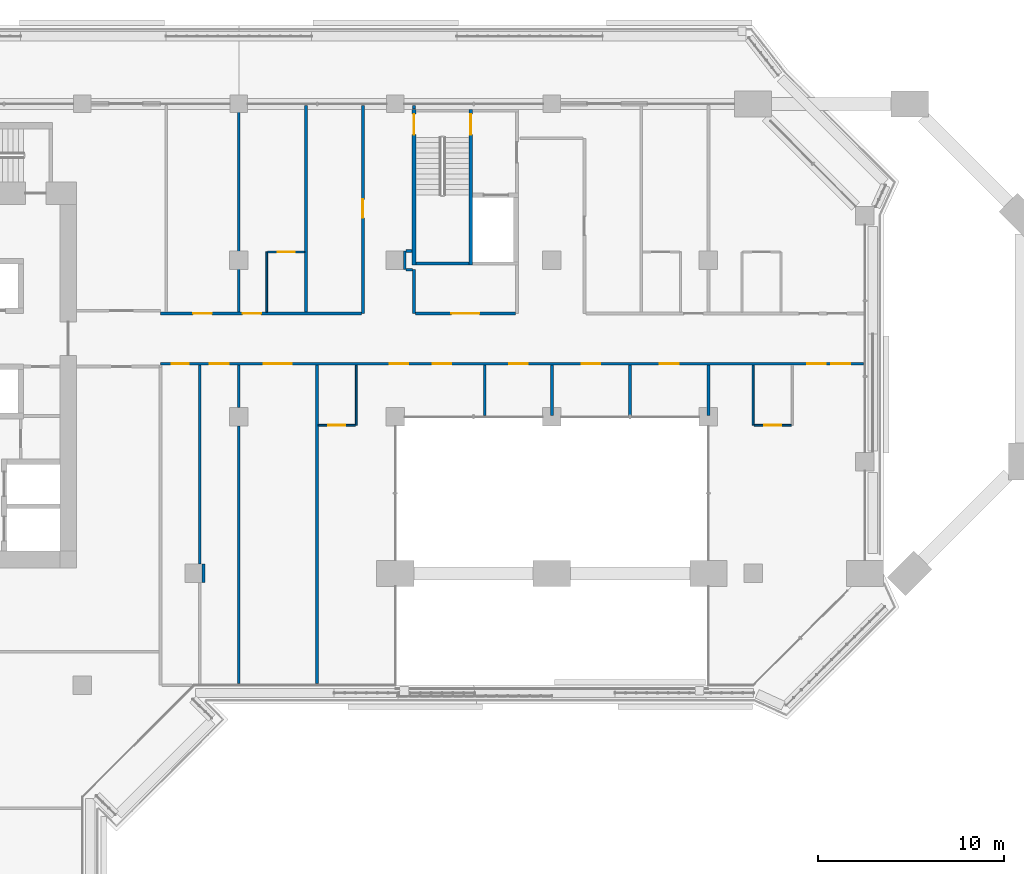
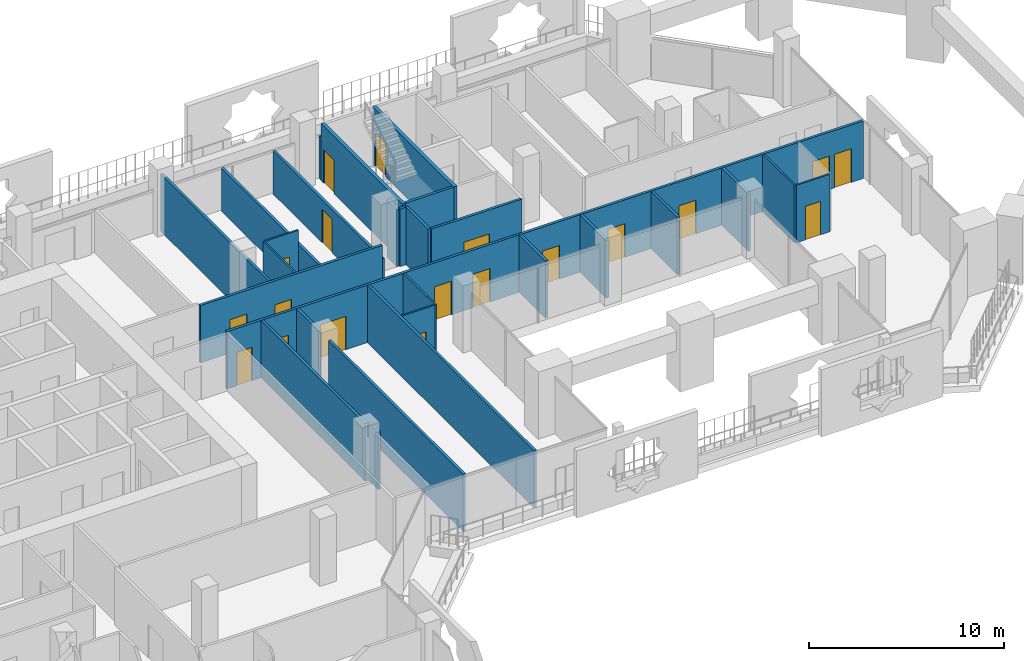
# One storey, part 14 of 24: 29 walls, 19 doors, 19 openings.
"""IFC4 building model written with IfcOpenShell, lengths in metres."""

from ifc_helpers import new_model, si_unit, direction, frame, frame_2d, origin, place, context, subcontext, project, spatial, rectangle, extrude, material, layer, layer_set, type_object, element, fill, save


model = new_model("IFC4")

# Units and contexts
model_context = context("Model", 3, precision=1e-05, world=origin(), true_north=direction((0.0, 1.0)))
body_context = subcontext(model_context, "Body", "Model", "MODEL_VIEW")
ifc_project = project(units=[si_unit("LENGTHUNIT", "METRE"), si_unit("AREAUNIT", "SQUARE_METRE"), si_unit("VOLUMEUNIT", "CUBIC_METRE"), si_unit("PLANEANGLEUNIT", "RADIAN"), si_unit("MASSUNIT", "GRAM", prefix="KILO")], contexts=[model_context])

# Site, building, storey
site_placement = place(None, origin())
site = spatial("IfcSite", under=ifc_project, at=site_placement, CompositionType="ELEMENT")
building_placement = place(site_placement, origin())
building = spatial("IfcBuilding", under=site, at=building_placement, Name="Kawkab Arch Medical Tower", CompositionType="ELEMENT")
storey_placement = place(building_placement, frame((0.0, 0.0, 162.60009765625)))
storey = spatial("IfcBuildingStorey", under=building, at=storey_placement, Name="L37", CompositionType="ELEMENT", Elevation=162.60009765625)

# Wall, opening, door
ifc_material_1 = material(Name="Gypsum board partition on steel studs", Category="steel")
ifc_layer_1 = layer(ifc_material_1, 0.10009765625)
ifc_layer_set_1 = layer_set([ifc_layer_1], Name="Gypsum board partition on steel studs")
wall_type_1 = type_object("IfcWallType", Name="Partition 100", PredefinedType="PARTITIONING", material=ifc_layer_set_1)
wall_1_placement = place(storey_placement, frame((37.875, -17.25, 0.0), z_axis=(0.0, 0.0, 1.0), x_axis=(1.0, 0.0, 0.0)))
wall_1 = element("IfcWall", 1, at=wall_1_placement, inside=storey, type_object=wall_type_1, Name="Partition 100 w005", PredefinedType="PARTITIONING", context=body_context, shape_type="SweptSolid", body=[
    extrude(rectangle(XDim=1.97509765625, YDim=0.10009765625, at=frame_2d((0.987548828125, 0.0))), origin(), (0.0, 0.0, 1.0), 3.599853515625),
])
opening_1_placement = place(wall_1_placement, frame((0.52490234375, 0.0, 0.0)))
opening_1 = element("IfcOpeningElement", 2, at=opening_1_placement, cuts=wall_1, Name="Opening B37-009", PredefinedType="OPENING", context=body_context, shape_type="SweptSolid", body=[
    extrude(rectangle(XDim=0.89990234375, YDim=2.10009765625, at=frame_2d((0.449951171875, 1.050048828125))), frame((0.0, 0.06005859375, 0.0), z_axis=(0.0, -1.0, 0.0), x_axis=(1.0, 0.0, 0.0)), (0.0, 0.0, 1.0), 0.1201171875),
])
ifc_material_2 = material(Name="Timber door leaf", Category="wood")
door_type_1 = type_object("IfcDoorType", Name="Single door 900x2100", OperationType="NOTDEFINED", PredefinedType="DOOR", material=ifc_material_2)
door_1_placement = place(opening_1_placement, origin())
door_1 = element("IfcDoor", 3, at=door_1_placement, inside=storey, type_object=door_type_1, Name="Door B37-009", OperationType="SINGLE_SWING_LEFT", OverallHeight=2.10009765625, OverallWidth=0.89990234375, PredefinedType="DOOR", context=body_context, shape_type="SweptSolid", body=[
    extrude(rectangle(XDim=0.89990234375, YDim=2.10009765625, at=frame_2d((0.449951171875, 1.050048828125))), frame((0.0, 0.02490234375, 0.0), z_axis=(0.0, -1.0, 0.0), x_axis=(1.0, 0.0, 0.0)), (0.0, 0.0, 1.0), 0.050048828125),
])
fill(opening_1, door_1)

wall_2_placement = place(storey_placement, frame((61.251953125, -17.25, 0.0), z_axis=(0.0, 0.0, 1.0), x_axis=(1.0, 0.0, 0.0)))
wall_2 = element("IfcWall", 4, at=wall_2_placement, inside=storey, type_object=wall_type_1, Name="Partition 100 w006", PredefinedType="PARTITIONING", context=body_context, shape_type="SweptSolid", body=[
    extrude(rectangle(XDim=1.99609375, YDim=0.10009765625, at=frame_2d((0.998046875, 0.0))), origin(), (0.0, 0.0, 1.0), 3.599853515625),
])
opening_2_placement = place(wall_2_placement, frame((0.548095703125, 0.0, 0.0)))
opening_2 = element("IfcOpeningElement", 5, at=opening_2_placement, cuts=wall_2, Name="Opening B37-010", PredefinedType="OPENING", context=body_context, shape_type="SweptSolid", body=[
    extrude(rectangle(XDim=0.89990234375, YDim=2.10009765625, at=frame_2d((0.449951171875, 1.050048828125))), frame((0.0, 0.06005859375, 0.0), z_axis=(0.0, -1.0, 0.0), x_axis=(1.0, 0.0, 0.0)), (0.0, 0.0, 1.0), 0.1201171875),
])
door_2_placement = place(opening_2_placement, origin())
door_2 = element("IfcDoor", 6, at=door_2_placement, inside=storey, type_object=door_type_1, Name="Door B37-010", OperationType="SINGLE_SWING_LEFT", OverallHeight=2.10009765625, OverallWidth=0.89990234375, PredefinedType="DOOR", context=body_context, shape_type="SweptSolid", body=[
    extrude(rectangle(XDim=0.89990234375, YDim=2.10009765625, at=frame_2d((0.449951171875, 1.050048828125))), frame((0.0, 0.02490234375, 0.0), z_axis=(0.0, -1.0, 0.0), x_axis=(1.0, 0.0, 0.0)), (0.0, 0.0, 1.0), 0.050048828125),
])
fill(opening_2, door_2)

wall_3_placement = place(storey_placement, frame((35.14990234375, -7.949951171875, 0.0), z_axis=(0.0, 0.0, 1.0), x_axis=(1.0, 0.0, 0.0)))
wall_3 = element("IfcWall", 7, at=wall_3_placement, inside=storey, type_object=wall_type_1, Name="Partition 100 w007", PredefinedType="PARTITIONING", context=body_context, shape_type="SweptSolid", body=[
    extrude(rectangle(XDim=1.97509765625, YDim=0.10009765625, at=frame_2d((0.987548828125, 0.0))), origin(), (0.0, 0.0, 1.0), 3.599853515625),
])
opening_3_placement = place(wall_3_placement, frame((0.550048828125, 0.0, 0.0)))
opening_3 = element("IfcOpeningElement", 8, at=opening_3_placement, cuts=wall_3, Name="Opening B37-006", PredefinedType="OPENING", context=body_context, shape_type="SweptSolid", body=[
    extrude(rectangle(XDim=0.89990234375, YDim=2.10009765625, at=frame_2d((0.449951171875, 1.050048828125))), frame((0.0, 0.06005859375, 0.0), z_axis=(0.0, -1.0, 0.0), x_axis=(1.0, 0.0, 0.0)), (0.0, 0.0, 1.0), 0.1201171875),
])
door_3_placement = place(opening_3_placement, origin())
door_3 = element("IfcDoor", 9, at=door_3_placement, inside=storey, type_object=door_type_1, Name="Door B37-006", OperationType="SINGLE_SWING_LEFT", OverallHeight=2.10009765625, OverallWidth=0.89990234375, PredefinedType="DOOR", context=body_context, shape_type="SweptSolid", body=[
    extrude(rectangle(XDim=0.89990234375, YDim=2.10009765625, at=frame_2d((0.449951171875, 1.050048828125))), frame((0.0, 0.02490234375, 0.0), z_axis=(0.0, -1.0, 0.0), x_axis=(1.0, 0.0, 0.0)), (0.0, 0.0, 1.0), 0.050048828125),
])
fill(opening_3, door_3)

# Walls
for number, where, z_axis, x_axis, name in (
    (10, (35.10009765625, -11.175048828125, 0.0), (0.0, 0.0, 1.0), (0.0, 1.0, 0.0), "Partition 100 w014"),
    (11, (39.89990234375, -17.25, 0.0), (0.0, 0.0, 1.0), (0.0, 1.0, 0.0), "Partition 100 w015"),
):
    element("IfcWall", number, at=place(storey_placement, frame(where, z_axis=z_axis, x_axis=x_axis)), inside=storey, type_object=wall_type_1, Name=name, PredefinedType="PARTITIONING", context=body_context, shape_type="SweptSolid", body=[
        extrude(rectangle(XDim=3.22509765625, YDim=0.10009765625, at=frame_2d((1.612548828125, 0.0))), origin(), (0.0, 0.0, 1.0), 3.599853515625),
    ])
wall_4_placement = place(storey_placement, frame((61.199951171875, -17.248046875, 0.0), z_axis=(0.0, 0.0, 1.0), x_axis=(0.0, 1.0, 0.0)))
element("IfcWall", 12, at=wall_4_placement, inside=storey, type_object=wall_type_1, Name="Partition 100 w018", PredefinedType="PARTITIONING", context=body_context, shape_type="SweptSolid", body=[
    extrude(rectangle(XDim=3.22314453125, YDim=0.10009765625, at=frame_2d((1.611572265625, 0.0))), origin(), (0.0, 0.0, 1.0), 3.599853515625),
])

# Wall, openings, doors
ifc_material_3 = material(Name="Gypsum board partition on steel studs, mineral wool", Category="steel")
ifc_layer_2 = layer(ifc_material_3, 0.14990234375)
ifc_layer_set_2 = layer_set([ifc_layer_2], Name="Gypsum board partition on steel studs, mineral wool")
wall_type_2 = type_object("IfcWallType", Name="Partition 150", PredefinedType="PARTITIONING", material=ifc_layer_set_2)
wall_5_placement = place(storey_placement, frame((29.39990234375, -13.949951171875, 0.0), z_axis=(0.0, 0.0, 1.0), x_axis=(1.0, 0.0, 0.0)))
wall_5 = element("IfcWall", 13, at=wall_5_placement, inside=storey, type_object=wall_type_2, Name="Partition 150 w036", PredefinedType="PARTITIONING", context=body_context, shape_type="SweptSolid", body=[
    extrude(rectangle(XDim=37.72021484375, YDim=0.14990234375, at=frame_2d((18.860107421875, 0.0))), origin(), (0.0, 0.0, 1.0), 3.599853515625),
])
opening_4_placement = place(wall_5_placement, frame((14.60009765625, 0.0, 0.0)))
opening_4 = element("IfcOpeningElement", 14, at=opening_4_placement, cuts=wall_5, Name="Opening B37-025", PredefinedType="OPENING", context=body_context, shape_type="SweptSolid", body=[
    extrude(rectangle(XDim=1.0, YDim=2.10009765625, at=frame_2d((0.5, 1.050048828125))), frame((0.0, 0.0849609375, 0.0), z_axis=(0.0, -1.0, 0.0), x_axis=(1.0, 0.0, 0.0)), (0.0, 0.0, 1.0), 0.169921875),
])
opening_5_placement = place(wall_5_placement, frame((12.300048828125, 0.0, 0.0)))
opening_5 = element("IfcOpeningElement", 15, at=opening_5_placement, cuts=wall_5, Name="Opening B37-026", PredefinedType="OPENING", context=body_context, shape_type="SweptSolid", body=[
    extrude(rectangle(XDim=1.0, YDim=2.10009765625, at=frame_2d((0.5, 1.050048828125))), frame((0.0, 0.0849609375, 0.0), z_axis=(0.0, -1.0, 0.0), x_axis=(1.0, 0.0, 0.0)), (0.0, 0.0, 1.0), 0.169921875),
])
opening_6_placement = place(wall_5_placement, frame((18.699951171875, 0.0, 0.0)))
opening_6 = element("IfcOpeningElement", 16, at=opening_6_placement, cuts=wall_5, Name="Opening B37-027", PredefinedType="OPENING", context=body_context, shape_type="SweptSolid", body=[
    extrude(rectangle(XDim=1.0, YDim=2.10009765625, at=frame_2d((0.5, 1.050048828125))), frame((0.0, 0.0849609375, 0.0), z_axis=(0.0, -1.0, 0.0), x_axis=(1.0, 0.0, 0.0)), (0.0, 0.0, 1.0), 0.169921875),
])
opening_7_placement = place(wall_5_placement, frame((22.60009765625, 0.0, 0.0)))
opening_7 = element("IfcOpeningElement", 17, at=opening_7_placement, cuts=wall_5, Name="Opening B37-028", PredefinedType="OPENING", context=body_context, shape_type="SweptSolid", body=[
    extrude(rectangle(XDim=1.0, YDim=2.10009765625, at=frame_2d((0.5, 1.050048828125))), frame((0.0, 0.0849609375, 0.0), z_axis=(0.0, -1.0, 0.0), x_axis=(1.0, 0.0, 0.0)), (0.0, 0.0, 1.0), 0.169921875),
])
opening_8_placement = place(wall_5_placement, frame((26.800048828125, 0.0, 0.0)))
opening_8 = element("IfcOpeningElement", 18, at=opening_8_placement, cuts=wall_5, Name="Opening B37-029", PredefinedType="OPENING", context=body_context, shape_type="SweptSolid", body=[
    extrude(rectangle(XDim=1.0, YDim=2.10009765625, at=frame_2d((0.5, 1.050048828125))), frame((0.0, 0.0849609375, 0.0), z_axis=(0.0, -1.0, 0.0), x_axis=(1.0, 0.0, 0.0)), (0.0, 0.0, 1.0), 0.169921875),
])
opening_9_placement = place(wall_5_placement, frame((36.0, 0.0, 0.0)))
opening_9 = element("IfcOpeningElement", 19, at=opening_9_placement, cuts=wall_5, Name="Opening B37-030", PredefinedType="OPENING", context=body_context, shape_type="SweptSolid", body=[
    extrude(rectangle(XDim=1.0, YDim=2.10009765625, at=frame_2d((0.5, 1.050048828125))), frame((0.0, 0.0849609375, 0.0), z_axis=(0.0, -1.0, 0.0), x_axis=(1.0, 0.0, 0.0)), (0.0, 0.0, 1.0), 0.169921875),
])
opening_10_placement = place(wall_5_placement, frame((34.699951171875, 0.0, 0.0)))
opening_10 = element("IfcOpeningElement", 20, at=opening_10_placement, cuts=wall_5, Name="Opening B37-031", PredefinedType="OPENING", context=body_context, shape_type="SweptSolid", body=[
    extrude(rectangle(XDim=1.0, YDim=2.10009765625, at=frame_2d((0.5, 1.050048828125))), frame((0.0, 0.0849609375, 0.0), z_axis=(0.0, -1.0, 0.0), x_axis=(1.0, 0.0, 0.0)), (0.0, 0.0, 1.0), 0.169921875),
])
opening_11_placement = place(wall_5_placement, frame((0.60009765625, 0.0, 0.0)))
opening_11 = element("IfcOpeningElement", 21, at=opening_11_placement, cuts=wall_5, Name="Opening B37-015", PredefinedType="OPENING", context=body_context, shape_type="SweptSolid", body=[
    extrude(rectangle(XDim=0.89990234375, YDim=2.10009765625, at=frame_2d((0.449951171875, 1.050048828125))), frame((0.0, 0.0849609375, 0.0), z_axis=(0.0, -1.0, 0.0), x_axis=(1.0, 0.0, 0.0)), (0.0, 0.0, 1.0), 0.169921875),
])
opening_12_placement = place(wall_5_placement, frame((2.64990234375, 0.0, 0.0)))
opening_12 = element("IfcOpeningElement", 22, at=opening_12_placement, cuts=wall_5, Name="Opening B37-016", PredefinedType="OPENING", context=body_context, shape_type="SweptSolid", body=[
    extrude(rectangle(XDim=1.0, YDim=2.10009765625, at=frame_2d((0.5, 1.050048828125))), frame((0.0, 0.0849609375, 0.0), z_axis=(0.0, -1.0, 0.0), x_axis=(1.0, 0.0, 0.0)), (0.0, 0.0, 1.0), 0.169921875),
])
opening_13_placement = place(wall_5_placement, frame((5.550048828125, 0.0, 0.0)))
opening_13 = element("IfcOpeningElement", 23, at=opening_13_placement, cuts=wall_5, Name="Opening B37-005", PredefinedType="OPENING", context=body_context, shape_type="SweptSolid", body=[
    extrude(rectangle(XDim=1.5, YDim=2.10009765625, at=frame_2d((0.75, 1.050048828125))), frame((0.0, 0.0849609375, 0.0), z_axis=(0.0, -1.0, 0.0), x_axis=(1.0, 0.0, 0.0)), (0.0, 0.0, 1.0), 0.169921875),
])
ifc_material_4 = material(Name="Hollow metal door leaf")
door_type_2 = type_object("IfcDoorType", Name="Double door 1500x2100 FD30S", OperationType="NOTDEFINED", PredefinedType="DOOR", material=ifc_material_4)
door_4_placement = place(opening_13_placement, origin())
door_4 = element("IfcDoor", 24, at=door_4_placement, inside=storey, type_object=door_type_2, Name="Door B37-005", OperationType="DOUBLE_DOOR_SINGLE_SWING", OverallHeight=2.10009765625, OverallWidth=1.5, PredefinedType="DOOR", context=body_context, shape_type="SweptSolid", body=[
    extrude(rectangle(XDim=1.5, YDim=2.10009765625, at=frame_2d((0.75, 1.050048828125))), frame((0.0, 0.02490234375, 0.0), z_axis=(0.0, -1.0, 0.0), x_axis=(1.0, 0.0, 0.0)), (0.0, 0.0, 1.0), 0.050048828125),
])
fill(opening_13, door_4)
ifc_material_5 = material(Name="Timber door leaf", Category="wood")
door_type_3 = type_object("IfcDoorType", Name="Single door 1000x2100", OperationType="NOTDEFINED", PredefinedType="DOOR", material=ifc_material_5)
door_5_placement = place(opening_12_placement, origin())
door_5 = element("IfcDoor", 25, at=door_5_placement, inside=storey, type_object=door_type_3, Name="Door B37-016", OperationType="SINGLE_SWING_RIGHT", OverallHeight=2.10009765625, OverallWidth=1.0, PredefinedType="DOOR", context=body_context, shape_type="SweptSolid", body=[
    extrude(rectangle(XDim=1.0, YDim=2.10009765625, at=frame_2d((0.5, 1.050048828125))), frame((0.0, 0.02490234375, 0.0), z_axis=(0.0, -1.0, 0.0), x_axis=(1.0, 0.0, 0.0)), (0.0, 0.0, 1.0), 0.050048828125),
])
fill(opening_12, door_5)
ifc_material_6 = material(Name="Hollow metal door leaf")
door_type_4 = type_object("IfcDoorType", Name="Single door 1000x2100 FD30S", OperationType="NOTDEFINED", PredefinedType="DOOR", material=ifc_material_6)
door_6_placement = place(opening_4_placement, origin())
door_6 = element("IfcDoor", 26, at=door_6_placement, inside=storey, type_object=door_type_4, Name="Door B37-025", OperationType="SINGLE_SWING_RIGHT", OverallHeight=2.10009765625, OverallWidth=1.0, PredefinedType="DOOR", context=body_context, shape_type="SweptSolid", body=[
    extrude(rectangle(XDim=1.0, YDim=2.10009765625, at=frame_2d((0.5, 1.050048828125))), frame((0.0, 0.02490234375, 0.0), z_axis=(0.0, -1.0, 0.0), x_axis=(1.0, 0.0, 0.0)), (0.0, 0.0, 1.0), 0.050048828125),
])
fill(opening_4, door_6)
door_7_placement = place(opening_5_placement, origin())
door_7 = element("IfcDoor", 27, at=door_7_placement, inside=storey, type_object=door_type_4, Name="Door B37-026", OperationType="SINGLE_SWING_RIGHT", OverallHeight=2.10009765625, OverallWidth=1.0, PredefinedType="DOOR", context=body_context, shape_type="SweptSolid", body=[
    extrude(rectangle(XDim=1.0, YDim=2.10009765625, at=frame_2d((0.5, 1.050048828125))), frame((0.0, 0.02490234375, 0.0), z_axis=(0.0, -1.0, 0.0), x_axis=(1.0, 0.0, 0.0)), (0.0, 0.0, 1.0), 0.050048828125),
])
fill(opening_5, door_7)
door_8_placement = place(opening_6_placement, origin())
door_8 = element("IfcDoor", 28, at=door_8_placement, inside=storey, type_object=door_type_4, Name="Door B37-027", OperationType="SINGLE_SWING_LEFT", OverallHeight=2.10009765625, OverallWidth=1.0, PredefinedType="DOOR", context=body_context, shape_type="SweptSolid", body=[
    extrude(rectangle(XDim=1.0, YDim=2.10009765625, at=frame_2d((0.5, 1.050048828125))), frame((0.0, 0.02490234375, 0.0), z_axis=(0.0, -1.0, 0.0), x_axis=(1.0, 0.0, 0.0)), (0.0, 0.0, 1.0), 0.050048828125),
])
fill(opening_6, door_8)
door_9_placement = place(opening_7_placement, origin())
door_9 = element("IfcDoor", 29, at=door_9_placement, inside=storey, type_object=door_type_4, Name="Door B37-028", OperationType="SINGLE_SWING_LEFT", OverallHeight=2.10009765625, OverallWidth=1.0, PredefinedType="DOOR", context=body_context, shape_type="SweptSolid", body=[
    extrude(rectangle(XDim=1.0, YDim=2.10009765625, at=frame_2d((0.5, 1.050048828125))), frame((0.0, 0.02490234375, 0.0), z_axis=(0.0, -1.0, 0.0), x_axis=(1.0, 0.0, 0.0)), (0.0, 0.0, 1.0), 0.050048828125),
])
fill(opening_7, door_9)
door_10_placement = place(opening_8_placement, origin())
door_10 = element("IfcDoor", 30, at=door_10_placement, inside=storey, type_object=door_type_4, Name="Door B37-029", OperationType="SINGLE_SWING_LEFT", OverallHeight=2.10009765625, OverallWidth=1.0, PredefinedType="DOOR", context=body_context, shape_type="SweptSolid", body=[
    extrude(rectangle(XDim=1.0, YDim=2.10009765625, at=frame_2d((0.5, 1.050048828125))), frame((0.0, 0.02490234375, 0.0), z_axis=(0.0, -1.0, 0.0), x_axis=(1.0, 0.0, 0.0)), (0.0, 0.0, 1.0), 0.050048828125),
])
fill(opening_8, door_10)
door_11_placement = place(opening_9_placement, origin())
door_11 = element("IfcDoor", 31, at=door_11_placement, inside=storey, type_object=door_type_4, Name="Door B37-030", OperationType="SINGLE_SWING_LEFT", OverallHeight=2.10009765625, OverallWidth=1.0, PredefinedType="DOOR", context=body_context, shape_type="SweptSolid", body=[
    extrude(rectangle(XDim=1.0, YDim=2.10009765625, at=frame_2d((0.5, 1.050048828125))), frame((0.0, 0.02490234375, 0.0), z_axis=(0.0, -1.0, 0.0), x_axis=(1.0, 0.0, 0.0)), (0.0, 0.0, 1.0), 0.050048828125),
])
fill(opening_9, door_11)
door_12_placement = place(opening_10_placement, origin())
door_12 = element("IfcDoor", 32, at=door_12_placement, inside=storey, type_object=door_type_4, Name="Door B37-031", OperationType="SINGLE_SWING_LEFT", OverallHeight=2.10009765625, OverallWidth=1.0, PredefinedType="DOOR", context=body_context, shape_type="SweptSolid", body=[
    extrude(rectangle(XDim=1.0, YDim=2.10009765625, at=frame_2d((0.5, 1.050048828125))), frame((0.0, 0.02490234375, 0.0), z_axis=(0.0, -1.0, 0.0), x_axis=(1.0, 0.0, 0.0)), (0.0, 0.0, 1.0), 0.050048828125),
])
fill(opening_10, door_12)
door_13_placement = place(opening_11_placement, origin())
door_13 = element("IfcDoor", 33, at=door_13_placement, inside=storey, type_object=door_type_1, Name="Door B37-015", OperationType="SINGLE_SWING_RIGHT", OverallHeight=2.10009765625, OverallWidth=0.89990234375, PredefinedType="DOOR", context=body_context, shape_type="SweptSolid", body=[
    extrude(rectangle(XDim=0.89990234375, YDim=2.10009765625, at=frame_2d((0.449951171875, 1.050048828125))), frame((0.0, 0.02490234375, 0.0), z_axis=(0.0, -1.0, 0.0), x_axis=(1.0, 0.0, 0.0)), (0.0, 0.0, 1.0), 0.050048828125),
])
fill(opening_11, door_13)

wall_6_placement = place(storey_placement, frame((29.39990234375, -11.25, 0.0), z_axis=(0.0, 0.0, 1.0), x_axis=(1.0, 0.0, 0.0)))
wall_6 = element("IfcWall", 34, at=wall_6_placement, inside=storey, type_object=wall_type_2, Name="Partition 150 w037", PredefinedType="PARTITIONING", context=body_context, shape_type="SweptSolid", body=[
    extrude(rectangle(XDim=10.781982421875, YDim=0.14990234375, at=frame_2d((5.39111328125, 0.0))), origin(), (0.0, 0.0, 1.0), 3.599853515625),
])
opening_14_placement = place(wall_6_placement, frame((1.75, 0.0, 0.0)))
opening_14 = element("IfcOpeningElement", 35, at=opening_14_placement, cuts=wall_6, Name="Opening B37-018", PredefinedType="OPENING", context=body_context, shape_type="SweptSolid", body=[
    extrude(rectangle(XDim=1.0, YDim=2.10009765625, at=frame_2d((0.5, 1.050048828125))), frame((0.0, 0.0849609375, 0.0), z_axis=(0.0, -1.0, 0.0), x_axis=(1.0, 0.0, 0.0)), (0.0, 0.0, 1.0), 0.169921875),
])
opening_15_placement = place(wall_6_placement, frame((4.39990234375, 0.0, 0.0)))
opening_15 = element("IfcOpeningElement", 36, at=opening_15_placement, cuts=wall_6, Name="Opening B37-019", PredefinedType="OPENING", context=body_context, shape_type="SweptSolid", body=[
    extrude(rectangle(XDim=1.0, YDim=2.10009765625, at=frame_2d((0.5, 1.050048828125))), frame((0.0, 0.0849609375, 0.0), z_axis=(0.0, -1.0, 0.0), x_axis=(1.0, 0.0, 0.0)), (0.0, 0.0, 1.0), 0.169921875),
])
door_14_placement = place(opening_14_placement, origin())
door_14 = element("IfcDoor", 37, at=door_14_placement, inside=storey, type_object=door_type_4, Name="Door B37-018", OperationType="SINGLE_SWING_LEFT", OverallHeight=2.10009765625, OverallWidth=1.0, PredefinedType="DOOR", context=body_context, shape_type="SweptSolid", body=[
    extrude(rectangle(XDim=1.0, YDim=2.10009765625, at=frame_2d((0.5, 1.050048828125))), frame((0.0, 0.02490234375, 0.0), z_axis=(0.0, -1.0, 0.0), x_axis=(1.0, 0.0, 0.0)), (0.0, 0.0, 1.0), 0.050048828125),
])
fill(opening_14, door_14)
door_15_placement = place(opening_15_placement, origin())
door_15 = element("IfcDoor", 38, at=door_15_placement, inside=storey, type_object=door_type_4, Name="Door B37-019", OperationType="SINGLE_SWING_LEFT", OverallHeight=2.10009765625, OverallWidth=1.0, PredefinedType="DOOR", context=body_context, shape_type="SweptSolid", body=[
    extrude(rectangle(XDim=1.0, YDim=2.10009765625, at=frame_2d((0.5, 1.050048828125))), frame((0.0, 0.02490234375, 0.0), z_axis=(0.0, -1.0, 0.0), x_axis=(1.0, 0.0, 0.0)), (0.0, 0.0, 1.0), 0.050048828125),
])
fill(opening_15, door_15)

# Wall, opening, door
wall_7_placement = place(storey_placement, frame((43.074951171875, -11.25, 0.0), z_axis=(0.0, 0.0, 1.0), x_axis=(1.0, 0.0, 0.0)))
wall_7 = element("IfcWall", 39, at=wall_7_placement, inside=storey, type_object=wall_type_2, Name="Partition 150 w038", PredefinedType="PARTITIONING", context=body_context, shape_type="SweptSolid", body=[
    extrude(rectangle(XDim=5.375, YDim=0.14990234375, at=frame_2d((2.6875, 0.0))), origin(), (0.0, 0.0, 1.0), 3.599853515625),
])
opening_16_placement = place(wall_7_placement, frame((1.93798828125, 0.0, 0.0)))
opening_16 = element("IfcOpeningElement", 40, at=opening_16_placement, cuts=wall_7, Name="Opening B37-001", PredefinedType="OPENING", context=body_context, shape_type="SweptSolid", body=[
    extrude(rectangle(XDim=1.5, YDim=2.10009765625, at=frame_2d((0.75, 1.050048828125))), frame((0.0, 0.0849609375, 0.0), z_axis=(0.0, -1.0, 0.0), x_axis=(1.0, 0.0, 0.0)), (0.0, 0.0, 1.0), 0.169921875),
])
door_16_placement = place(opening_16_placement, origin())
door_16 = element("IfcDoor", 41, at=door_16_placement, inside=storey, type_object=door_type_2, Name="Door B37-001", OperationType="DOUBLE_DOOR_SINGLE_SWING", OverallHeight=2.10009765625, OverallWidth=1.5, PredefinedType="DOOR", context=body_context, shape_type="SweptSolid", body=[
    extrude(rectangle(XDim=1.5, YDim=2.10009765625, at=frame_2d((0.75, 1.050048828125))), frame((0.0, 0.02490234375, 0.0), z_axis=(0.0, -1.0, 0.0), x_axis=(1.0, 0.0, 0.0)), (0.0, 0.0, 1.0), 0.050048828125),
])
fill(opening_16, door_16)

# Walls
wall_8_placement = place(storey_placement, frame((42.576904296875, -8.89990234375, 0.0), z_axis=(0.0, 0.0, 1.0), x_axis=(1.0, 0.0, 0.0)))
element("IfcWall", 42, at=wall_8_placement, inside=storey, type_object=wall_type_2, Name="Partition 150 w042", PredefinedType="PARTITIONING", context=body_context, shape_type="SweptSolid", body=[
    extrude(rectangle(XDim=0.34814453125, YDim=0.14990234375, at=frame_2d((0.174072265625, 0.0))), origin(), (0.0, 0.0, 1.0), 3.599853515625),
])
wall_9_placement = place(storey_placement, frame((42.576904296875, -7.89990234375, 0.0), z_axis=(0.0, 0.0, 1.0), x_axis=(1.0, 0.0, 0.0)))
element("IfcWall", 43, at=wall_9_placement, inside=storey, type_object=wall_type_2, Name="Partition 150 w043", PredefinedType="PARTITIONING", context=body_context, shape_type="SweptSolid", body=[
    extrude(rectangle(XDim=0.322998046875, YDim=0.14990234375, at=frame_2d((0.16162109375, 0.0))), origin(), (0.0, 0.0, 1.0), 3.599853515625),
])
wall_10_placement = place(storey_placement, frame((31.5, -24.697998046875, 0.0), z_axis=(0.0, 0.0, 1.0), x_axis=(0.0, 1.0, 0.0)))
element("IfcWall", 44, at=wall_10_placement, inside=storey, type_object=wall_type_2, Name="Partition 150 w056", PredefinedType="PARTITIONING", context=body_context, shape_type="SweptSolid", body=[
    extrude(rectangle(XDim=10.673095703125, YDim=0.14990234375, at=frame_2d((5.33642578125, 0.0))), origin(), (0.0, 0.0, 1.0), 3.599853515625),
])
wall_11_placement = place(storey_placement, frame((31.699951171875, -25.697998046875, 0.0), z_axis=(0.0, 0.0, 1.0), x_axis=(0.0, 1.0, 0.0)))
element("IfcWall", 45, at=wall_11_placement, inside=storey, type_object=wall_type_2, Name="Partition 150 w057", PredefinedType="PARTITIONING", context=body_context, shape_type="SweptSolid", body=[
    extrude(rectangle(XDim=0.99609375, YDim=0.14990234375, at=frame_2d((0.498046875, 0.0))), origin(), (0.0, 0.0, 1.0), 3.599853515625),
])
wall_12_placement = place(storey_placement, frame((33.60009765625, -31.1201171875, 0.0), z_axis=(0.0, 0.0, 1.0), x_axis=(0.0, 1.0, 0.0)))
element("IfcWall", 46, at=wall_12_placement, inside=storey, type_object=wall_type_2, Name="Partition 150 w058", PredefinedType="PARTITIONING", context=body_context, shape_type="SweptSolid", body=[
    extrude(rectangle(XDim=13.820068359375, YDim=0.14990234375, at=frame_2d((6.91015625, 0.0))), origin(), (0.0, 0.0, 1.0), 3.599853515625),
])
wall_13_placement = place(storey_placement, frame((33.60009765625, -16.300048828125, 0.0), z_axis=(0.0, 0.0, 1.0), x_axis=(0.0, 1.0, 0.0)))
element("IfcWall", 47, at=wall_13_placement, inside=storey, type_object=wall_type_2, Name="Partition 150 w059", PredefinedType="PARTITIONING", context=body_context, shape_type="SweptSolid", body=[
    extrude(rectangle(XDim=2.275146484375, YDim=0.14990234375, at=frame_2d((1.1376953125, 0.0))), origin(), (0.0, 0.0, 1.0), 3.599853515625),
])
wall_14_placement = place(storey_placement, frame((33.60009765625, -11.175048828125, 0.0), z_axis=(0.0, 0.0, 1.0), x_axis=(0.0, 1.0, 0.0)))
element("IfcWall", 48, at=wall_14_placement, inside=storey, type_object=wall_type_2, Name="Partition 150 w060", PredefinedType="PARTITIONING", context=body_context, shape_type="SweptSolid", body=[
    extrude(rectangle(XDim=11.094970703125, YDim=0.14990234375, at=frame_2d((5.54736328125, 0.0))), origin(), (0.0, 0.0, 1.0), 3.599853515625),
])
wall_15_placement = place(storey_placement, frame((37.199951171875, -11.175048828125, 0.0), z_axis=(0.0, 0.0, 1.0), x_axis=(0.0, 1.0, 0.0)))
element("IfcWall", 49, at=wall_15_placement, inside=storey, type_object=wall_type_2, Name="Partition 150 w061", PredefinedType="PARTITIONING", context=body_context, shape_type="SweptSolid", body=[
    extrude(rectangle(XDim=11.094970703125, YDim=0.14990234375, at=frame_2d((5.54736328125, 0.0))), origin(), (0.0, 0.0, 1.0), 2.699951171875),
])
wall_16_placement = place(storey_placement, frame((37.800048828125, -31.1201171875, 0.0), z_axis=(0.0, 0.0, 1.0), x_axis=(0.0, 1.0, 0.0)))
element("IfcWall", 50, at=wall_16_placement, inside=storey, type_object=wall_type_2, Name="Partition 150 w062", PredefinedType="PARTITIONING", context=body_context, shape_type="SweptSolid", body=[
    extrude(rectangle(XDim=17.09521484375, YDim=0.14990234375, at=frame_2d((8.547607421875, 0.0))), origin(), (0.0, 0.0, 1.0), 3.599853515625),
])

# Wall, opening, door
wall_17_placement = place(storey_placement, frame((40.257080078125, -11.25, 0.0), z_axis=(0.0, 0.0, 1.0), x_axis=(0.0, 1.0, 0.0)))
wall_17 = element("IfcWall", 51, at=wall_17_placement, inside=storey, type_object=wall_type_2, Name="Partition 150 w063", PredefinedType="PARTITIONING", context=body_context, shape_type="SweptSolid", body=[
    extrude(rectangle(XDim=11.169921875, YDim=0.14990234375, at=frame_2d((5.5849609375, 0.0))), origin(), (0.0, 0.0, 1.0), 2.699951171875),
])
opening_17_placement = place(wall_17_placement, frame((5.125, 0.0, 0.0)))
opening_17 = element("IfcOpeningElement", 52, at=opening_17_placement, cuts=wall_17, Name="Opening B37-020", PredefinedType="OPENING", context=body_context, shape_type="SweptSolid", body=[
    extrude(rectangle(XDim=1.0, YDim=2.10009765625, at=frame_2d((0.5, 1.050048828125))), frame((0.0, 0.0849609375, 0.0), z_axis=(0.0, -1.0, 0.0), x_axis=(1.0, 0.0, 0.0)), (0.0, 0.0, 1.0), 0.169921875),
])
door_17_placement = place(opening_17_placement, origin())
door_17 = element("IfcDoor", 53, at=door_17_placement, inside=storey, type_object=door_type_4, Name="Door B37-020", OperationType="SINGLE_SWING_RIGHT", OverallHeight=2.10009765625, OverallWidth=1.0, PredefinedType="DOOR", context=body_context, shape_type="SweptSolid", body=[
    extrude(rectangle(XDim=1.0, YDim=2.10009765625, at=frame_2d((0.5, 1.050048828125))), frame((0.0, 0.02490234375, 0.0), z_axis=(0.0, -1.0, 0.0), x_axis=(1.0, 0.0, 0.0)), (0.0, 0.0, 1.0), 0.050048828125),
])
fill(opening_17, door_17)

# Walls
wall_18_placement = place(storey_placement, frame((42.5, -8.89892578125, 0.0), z_axis=(0.0, 0.0, 1.0), x_axis=(0.0, 1.0, 0.0)))
element("IfcWall", 54, at=wall_18_placement, inside=storey, type_object=wall_type_2, Name="Partition 150 w064", PredefinedType="PARTITIONING", context=body_context, shape_type="SweptSolid", body=[
    extrude(rectangle(XDim=0.996826171875, YDim=0.14990234375, at=frame_2d((0.49853515625, 0.0))), origin(), (0.0, 0.0, 1.0), 3.599853515625),
])
wall_19_placement = place(storey_placement, frame((43.0, -11.25, 0.0), z_axis=(0.0, 0.0, 1.0), x_axis=(0.0, 1.0, 0.0)))
element("IfcWall", 55, at=wall_19_placement, inside=storey, type_object=wall_type_2, Name="Partition 150 w065", PredefinedType="PARTITIONING", context=body_context, shape_type="SweptSolid", body=[
    extrude(rectangle(XDim=2.35009765625, YDim=0.14990234375, at=frame_2d((1.175048828125, 0.0))), origin(), (0.0, 0.0, 1.0), 3.599853515625),
])
wall_20_placement = place(storey_placement, frame((43.0, -0.27001953125, 0.0), z_axis=(0.0, 0.0, 1.0), x_axis=(0.0, 1.0, 0.0)))
element("IfcWall", 56, at=wall_20_placement, inside=storey, type_object=wall_type_2, Name="Partition 150 w066", PredefinedType="PARTITIONING", context=body_context, shape_type="SweptSolid", body=[
    extrude(rectangle(XDim=0.18994140625, YDim=0.14990234375, at=frame_2d((0.094970703125, 0.0))), origin(), (0.0, 0.0, 1.0), 2.699951171875),
])
for number, where, z_axis, x_axis, name in (
    (57, (46.800048828125, -16.719970703125, 0.0), (0.0, 0.0, 1.0), (0.0, 1.0, 0.0), "Partition 150 w067"),
    (58, (50.39990234375, -16.719970703125, 0.0), (0.0, 0.0, 1.0), (0.0, 1.0, 0.0), "Partition 150 w069"),
    (59, (54.60009765625, -16.719970703125, 0.0), (0.0, 0.0, 1.0), (0.0, 1.0, 0.0), "Partition 150 w071"),
    (60, (58.800048828125, -16.719970703125, 0.0), (0.0, 0.0, 1.0), (0.0, 1.0, 0.0), "Partition 150 w073"),
):
    element("IfcWall", number, at=place(storey_placement, frame(where, z_axis=z_axis, x_axis=x_axis)), inside=storey, type_object=wall_type_2, Name=name, PredefinedType="PARTITIONING", context=body_context, shape_type="SweptSolid", body=[
        extrude(rectangle(XDim=2.695068359375, YDim=0.14990234375, at=frame_2d((1.34765625, 0.0))), origin(), (0.0, 0.0, 1.0), 3.599853515625),
    ])
ifc_material_7 = material(Name="Concrete C50/60", Category="concrete")
ifc_layer_3 = layer(ifc_material_7, 0.14990234375)
ifc_layer_set_3 = layer_set([ifc_layer_3], Name="Concrete C50/60")
wall_type_3 = type_object("IfcWallType", Name="Stair enclosure wall 150 C50/60", PredefinedType="SHEAR", material=ifc_layer_set_3)
wall_21_placement = place(storey_placement, frame((43.10009765625, -8.574951171875, 0.0), z_axis=(0.0, 0.0, 1.0), x_axis=(1.0, 0.0, 0.0)))
element("IfcWall", 61, at=wall_21_placement, inside=storey, type_object=wall_type_3, Name="L37 stair enclosure wall", PredefinedType="SHEAR", context=body_context, shape_type="SweptSolid", body=[
    extrude(rectangle(XDim=2.849853515625, YDim=0.14990234375, at=frame_2d((1.4248046875, 0.0))), origin(), (0.0, 0.0, 1.0), 3.599853515625),
])

# Wall, opening, door
ifc_material_8 = material(Name="Concrete C50/60", Category="concrete")
ifc_layer_4 = layer(ifc_material_8, 0.199951171875)
ifc_layer_set_4 = layer_set([ifc_layer_4], Name="Concrete C50/60")
wall_type_4 = type_object("IfcWallType", Name="Stair enclosure wall 200 C50/60", PredefinedType="SHEAR", material=ifc_layer_set_4)
wall_22_placement = place(storey_placement, frame((43.0, -8.64990234375, 0.0), z_axis=(0.0, 0.0, 1.0), x_axis=(0.0, 1.0, 0.0)))
wall_22 = element("IfcWall", 62, at=wall_22_placement, inside=storey, type_object=wall_type_4, Name="L37 stair enclosure wall", PredefinedType="SHEAR", context=body_context, shape_type="SweptSolid", body=[
    extrude(rectangle(XDim=8.349853515625, YDim=0.199951171875, at=frame_2d((4.1748046875, 0.0))), origin(), (0.0, 0.0, 1.0), 3.599853515625),
])
opening_18_placement = place(wall_22_placement, frame((7.0, 0.0, 0.0)))
opening_18 = element("IfcOpeningElement", 63, at=opening_18_placement, cuts=wall_22, Name="Opening SD", PredefinedType="OPENING", context=body_context, shape_type="SweptSolid", body=[
    extrude(rectangle(XDim=1.10009765625, YDim=2.10009765625, at=frame_2d((0.550048828125, 1.050048828125))), frame((0.0, 0.10986328125, 0.0), z_axis=(0.0, -1.0, 0.0), x_axis=(1.0, 0.0, 0.0)), (0.0, 0.0, 1.0), 0.219970703125),
])
ifc_material_9 = material(Name="Hollow metal fire door leaf")
door_type_5 = type_object("IfcDoorType", Name="Exit stair door 1100", OperationType="SINGLE_SWING_LEFT", PredefinedType="DOOR", material=ifc_material_9)
door_18_placement = place(opening_18_placement, frame((1.10009765625, 0.0, 0.0), z_axis=(0.0, 0.0, 1.0), x_axis=(-1.0, 0.0, 0.0)))
door_18 = element("IfcDoor", 64, at=door_18_placement, inside=storey, type_object=door_type_5, Name="L37 Exit stair ST5 door", OperationType="SINGLE_SWING_LEFT", OverallHeight=2.10009765625, OverallWidth=1.10009765625, PredefinedType="DOOR", context=body_context, shape_type="SweptSolid", body=[
    extrude(rectangle(XDim=1.10009765625, YDim=2.10009765625, at=frame_2d((0.550048828125, 1.050048828125))), frame((0.0, 0.02490234375, 0.0), z_axis=(0.0, -1.0, 0.0), x_axis=(1.0, 0.0, 0.0)), (0.0, 0.0, 1.0), 0.050048828125),
])
fill(opening_18, door_18)

wall_23_placement = place(storey_placement, frame((46.050048828125, -8.64990234375, 0.0), z_axis=(0.0, 0.0, 1.0), x_axis=(0.0, 1.0, 0.0)))
wall_23 = element("IfcWall", 65, at=wall_23_placement, inside=storey, type_object=wall_type_4, Name="L37 stair enclosure wall", PredefinedType="SHEAR", context=body_context, shape_type="SweptSolid", body=[
    extrude(rectangle(XDim=8.349853515625, YDim=0.199951171875, at=frame_2d((4.1748046875, 0.0))), origin(), (0.0, 0.0, 1.0), 3.599853515625),
])
opening_19_placement = place(wall_23_placement, frame((7.0, 0.0, 0.0)))
opening_19 = element("IfcOpeningElement", 66, at=opening_19_placement, cuts=wall_23, Name="Opening SD", PredefinedType="OPENING", context=body_context, shape_type="SweptSolid", body=[
    extrude(rectangle(XDim=1.10009765625, YDim=2.10009765625, at=frame_2d((0.550048828125, 1.050048828125))), frame((0.0, 0.10986328125, 0.0), z_axis=(0.0, -1.0, 0.0), x_axis=(1.0, 0.0, 0.0)), (0.0, 0.0, 1.0), 0.219970703125),
])
door_19_placement = place(opening_19_placement, origin())
door_19 = element("IfcDoor", 67, at=door_19_placement, inside=storey, type_object=door_type_5, Name="L37 Exit stair ST5 lobby door", OperationType="SINGLE_SWING_LEFT", OverallHeight=2.10009765625, OverallWidth=1.10009765625, PredefinedType="DOOR", context=body_context, shape_type="SweptSolid", body=[
    extrude(rectangle(XDim=1.10009765625, YDim=2.10009765625, at=frame_2d((0.550048828125, 1.050048828125))), frame((0.0, 0.02490234375, 0.0), z_axis=(0.0, -1.0, 0.0), x_axis=(1.0, 0.0, 0.0)), (0.0, 0.0, 1.0), 0.050048828125),
])
fill(opening_19, door_19)

save(model, "model.ifc")
